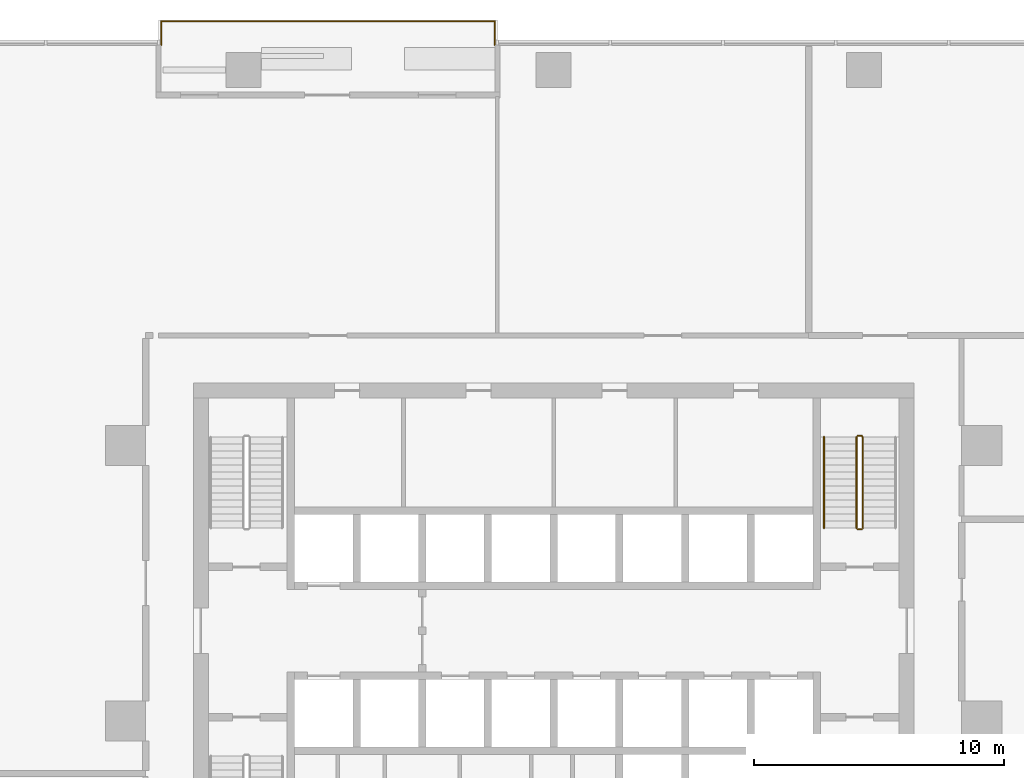
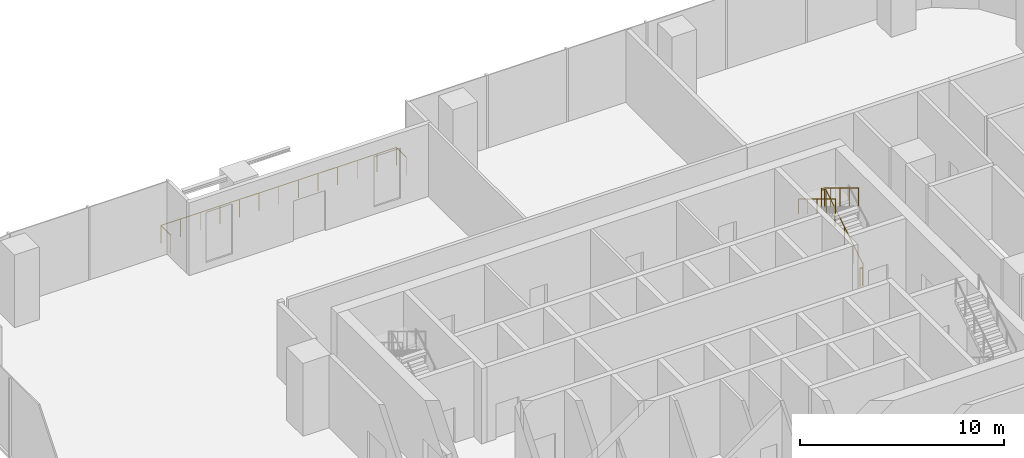
# One storey, part 14 of 15: 5 railings.
"""IFC4 building model written with IfcOpenShell, lengths in metres."""

from ifc_helpers import new_model, si_unit, direction, frame, origin, origin_2d, place, context, subcontext, project, spatial, circle, extrude, material, type_object, element, save


model = new_model("IFC4")

# Units and contexts
model_context = context("Model", 3, precision=1e-05, world=origin(), true_north=direction((0.0, 1.0)))
body_context = subcontext(model_context, "Body", "Model", "MODEL_VIEW")
ifc_project = project(units=[si_unit("LENGTHUNIT", "METRE"), si_unit("AREAUNIT", "SQUARE_METRE"), si_unit("VOLUMEUNIT", "CUBIC_METRE"), si_unit("PLANEANGLEUNIT", "RADIAN"), si_unit("MASSUNIT", "GRAM", prefix="KILO")], contexts=[model_context])

# Site, building, storey
site_placement = place(None, origin())
site = spatial("IfcSite", under=ifc_project, at=site_placement, CompositionType="ELEMENT")
building_placement = place(site_placement, origin())
building = spatial("IfcBuilding", under=site, at=building_placement, Name="Mopane Tessera Tower", CompositionType="ELEMENT")
storey_placement = place(building_placement, frame((0.0, 0.0, 64.60009765625)))
storey = spatial("IfcBuildingStorey", under=building, at=storey_placement, Name="L12", CompositionType="ELEMENT", Elevation=64.60009765625)

# Railings
ifc_material_1 = material(Name="Powder-coated steel balustrade", Category="steel")
railing_type_1 = type_object("IfcRailingType", Name="Escape stair guard 1100 mm", PredefinedType="GUARDRAIL", material=ifc_material_1)
railing_1_placement = place(storey_placement, frame((12.35009765625, 7.699951171875, 0.17138671875)))
element("IfcRailing", 1, at=railing_1_placement, inside=storey, type_object=railing_type_1, Name="L12 ST4 stair guard 1", PredefinedType="GUARDRAIL", context=body_context, shape_type="SweptSolid", body=[
    extrude(circle(Radius=0.02392578125, at=origin_2d()), frame((0.0, 0.0, 1.076171875), z_axis=(0.0, 0.852865859571, 0.52213008492), x_axis=(-1.0, 0.0, 0.0)), (0.0, 0.0, 1.0), 4.26806640625),
    extrude(circle(Radius=0.02392578125, at=origin_2d()), frame((0.0, 3.64013671875, 3.3046875), z_axis=(-0.708833529934, 0.705375805398, 0.0), x_axis=(-0.705375805398, -0.708833529934, 0.0)), (0.0, 0.0, 1.0), 0.070556640625),
    extrude(circle(Radius=0.02392578125, at=origin_2d()), frame((-0.050048828125, 3.68994140625, 3.3046875), z_axis=(-1.0, 0.0, 0.0), x_axis=(0.0, -1.0, 0.0)), (0.0, 0.0, 1.0), 0.150146484375),
    extrude(circle(Radius=0.02099609375, at=origin_2d()), origin(), (0.0, 0.0, 1.0), 1.052001953125),
    extrude(circle(Radius=0.02099609375, at=origin_2d()), frame((0.0, 0.91015625, 0.55712890625)), (0.0, 0.0, 1.0), 1.052001953125),
    extrude(circle(Radius=0.02099609375, at=origin_2d()), frame((0.0, 1.820068359375, 1.1142578125)), (0.0, 0.0, 1.0), 1.052001953125),
    extrude(circle(Radius=0.02099609375, at=origin_2d()), frame((0.0, 2.72998046875, 1.67138671875)), (0.0, 0.0, 1.0), 1.052001953125),
    extrude(circle(Radius=0.02099609375, at=origin_2d()), frame((0.0, 3.64013671875, 2.228515625)), (0.0, 0.0, 1.0), 1.052001953125),
    extrude(circle(Radius=0.02099609375, at=origin_2d()), frame((-0.050048828125, 3.68994140625, 2.228515625)), (0.0, 0.0, 1.0), 1.052001953125),
    extrude(circle(Radius=0.02099609375, at=origin_2d()), frame((-0.2001953125, 3.68994140625, 2.228515625)), (0.0, 0.0, 1.0), 1.052001953125),
])
railing_2_placement = place(storey_placement, frame((12.10009765625, 11.340087890625, 2.5712890625)))
element("IfcRailing", 2, at=railing_2_placement, inside=storey, type_object=railing_type_1, Name="L12 ST4 stair guard 2", PredefinedType="GUARDRAIL", context=body_context, shape_type="SweptSolid", body=[
    extrude(circle(Radius=0.02392578125, at=origin_2d()), frame((0.0, 0.0, 1.076171875), z_axis=(0.0, -0.852865859571, 0.52213008492), x_axis=(1.0, 0.0, 0.0)), (0.0, 0.0, 1.0), 4.26806640625),
    extrude(circle(Radius=0.02099609375, at=origin_2d()), origin(), (0.0, 0.0, 1.0), 1.052001953125),
    extrude(circle(Radius=0.02099609375, at=origin_2d()), frame((0.0, -0.91015625, 0.55712890625)), (0.0, 0.0, 1.0), 1.052001953125),
    extrude(circle(Radius=0.02099609375, at=origin_2d()), frame((0.0, -1.820068359375, 1.1142578125)), (0.0, 0.0, 1.0), 1.052001953125),
    extrude(circle(Radius=0.02099609375, at=origin_2d()), frame((0.0, -2.72998046875, 1.67138671875)), (0.0, 0.0, 1.0), 1.052001953125),
    extrude(circle(Radius=0.02099609375, at=origin_2d()), frame((0.0, -3.64013671875, 2.228515625)), (0.0, 0.0, 1.0), 1.052001953125),
])
railing_3_placement = place(storey_placement, frame((12.300048828125, 7.64990234375, 0.0)))
element("IfcRailing", 3, at=railing_3_placement, inside=storey, type_object=railing_type_1, Name="L12 ST4 stair guard 3", PredefinedType="GUARDRAIL", context=body_context, shape_type="SweptSolid", body=[
    extrude(circle(Radius=0.02392578125, at=origin_2d()), frame((0.0, 0.0, 1.076171875), z_axis=(-1.0, 0.0, 0.0), x_axis=(0.0, -1.0, 0.0)), (0.0, 0.0, 1.0), 0.150146484375),
    extrude(circle(Radius=0.02099609375, at=origin_2d()), origin(), (0.0, 0.0, 1.0), 1.052001953125),
    extrude(circle(Radius=0.02099609375, at=origin_2d()), frame((-0.150146484375, 0.0, 0.0)), (0.0, 0.0, 1.0), 1.052001953125),
])
ifc_material_2 = material(Name="Powder-coated steel balustrade", Category="steel")
railing_type_2 = type_object("IfcRailingType", Name="Escape stair handrail 900 mm", PredefinedType="HANDRAIL", material=ifc_material_2)
railing_4_placement = place(storey_placement, frame((10.800048828125, 11.340087890625, 2.5712890625)))
element("IfcRailing", 4, at=railing_4_placement, inside=storey, type_object=railing_type_2, Name="L12 ST4 stair handrail 2", PredefinedType="HANDRAIL", context=body_context, shape_type="SweptSolid", body=[
    extrude(circle(Radius=0.02392578125, at=origin_2d()), frame((0.0, 0.0, 0.8759765625), z_axis=(0.0, -0.852865859571, 0.52213008492), x_axis=(1.0, 0.0, 0.0)), (0.0, 0.0, 1.0), 4.26806640625),
    extrude(circle(Radius=0.02099609375, at=origin_2d()), origin(), (0.0, 0.0, 1.0), 0.851806640625),
    extrude(circle(Radius=0.02099609375, at=origin_2d()), frame((0.0, -0.91015625, 0.55712890625)), (0.0, 0.0, 1.0), 0.851806640625),
    extrude(circle(Radius=0.02099609375, at=origin_2d()), frame((0.0, -1.820068359375, 1.1142578125)), (0.0, 0.0, 1.0), 0.851806640625),
    extrude(circle(Radius=0.02099609375, at=origin_2d()), frame((0.0, -2.72998046875, 1.67138671875)), (0.0, 0.0, 1.0), 0.851806640625),
    extrude(circle(Radius=0.02099609375, at=origin_2d()), frame((0.0, -3.64013671875, 2.228515625)), (0.0, 0.0, 1.0), 0.851806640625),
])
ifc_material_3 = material(Name="Stainless steel S316", Category="steel")
railing_type_3 = type_object("IfcRailingType", Name="Terrace guard 1100", PredefinedType="GUARDRAIL", material=ifc_material_3)
railing_5_placement = place(storey_placement, frame((-2.3544921875, 27.0, 0.0)))
element("IfcRailing", 5, at=railing_5_placement, inside=storey, type_object=railing_type_3, Name="e:nw:L12:N2:guard", PredefinedType="GUARDRAIL", context=body_context, shape_type="SweptSolid", body=[
    extrude(circle(Radius=0.02392578125, at=origin_2d()), frame((0.0, 0.0, 1.076171875), z_axis=(0.0, 1.0, 0.0), x_axis=(-1.0, 0.0, 0.0)), (0.0, 0.0, 1.0), 0.949951171875),
    extrude(circle(Radius=0.02392578125, at=origin_2d()), frame((0.0, 0.949951171875, 1.076171875), z_axis=(-1.0, 0.0, 0.0), x_axis=(0.0, -1.0, 0.0)), (0.0, 0.0, 1.0), 13.327392578125),
    extrude(circle(Radius=0.02392578125, at=origin_2d()), frame((-13.327392578125, 0.949951171875, 1.076171875), z_axis=(0.0, -1.0, 0.0), x_axis=(1.0, 0.0, 0.0)), (0.0, 0.0, 1.0), 0.949951171875),
    extrude(circle(Radius=0.02099609375, at=origin_2d()), origin(), (0.0, 0.0, 1.0), 1.052001953125),
    extrude(circle(Radius=0.02099609375, at=origin_2d()), frame((0.0, 0.949951171875, 0.0)), (0.0, 0.0, 1.0), 1.052001953125),
    extrude(circle(Radius=0.02099609375, at=origin_2d()), frame((-1.110595703125, 0.949951171875, 0.0)), (0.0, 0.0, 1.0), 1.052001953125),
    extrude(circle(Radius=0.02099609375, at=origin_2d()), frame((-2.22119140625, 0.949951171875, 0.0)), (0.0, 0.0, 1.0), 1.052001953125),
    extrude(circle(Radius=0.02099609375, at=origin_2d()), frame((-3.331787109375, 0.949951171875, 0.0)), (0.0, 0.0, 1.0), 1.052001953125),
    extrude(circle(Radius=0.02099609375, at=origin_2d()), frame((-4.4423828125, 0.949951171875, 0.0)), (0.0, 0.0, 1.0), 1.052001953125),
    extrude(circle(Radius=0.02099609375, at=origin_2d()), frame((-5.552978515625, 0.949951171875, 0.0)), (0.0, 0.0, 1.0), 1.052001953125),
    extrude(circle(Radius=0.02099609375, at=origin_2d()), frame((-6.66357421875, 0.949951171875, 0.0)), (0.0, 0.0, 1.0), 1.052001953125),
    extrude(circle(Radius=0.02099609375, at=origin_2d()), frame((-7.7744140625, 0.949951171875, 0.0)), (0.0, 0.0, 1.0), 1.052001953125),
    extrude(circle(Radius=0.02099609375, at=origin_2d()), frame((-8.885009765625, 0.949951171875, 0.0)), (0.0, 0.0, 1.0), 1.052001953125),
    extrude(circle(Radius=0.02099609375, at=origin_2d()), frame((-9.99560546875, 0.949951171875, 0.0)), (0.0, 0.0, 1.0), 1.052001953125),
    extrude(circle(Radius=0.02099609375, at=origin_2d()), frame((-11.106201171875, 0.949951171875, 0.0)), (0.0, 0.0, 1.0), 1.052001953125),
    extrude(circle(Radius=0.02099609375, at=origin_2d()), frame((-12.216796875, 0.949951171875, 0.0)), (0.0, 0.0, 1.0), 1.052001953125),
    extrude(circle(Radius=0.02099609375, at=origin_2d()), frame((-13.327392578125, 0.949951171875, 0.0)), (0.0, 0.0, 1.0), 1.052001953125),
    extrude(circle(Radius=0.02099609375, at=origin_2d()), frame((-13.327392578125, 0.0, 0.0)), (0.0, 0.0, 1.0), 1.052001953125),
])

save(model, "model.ifc")
